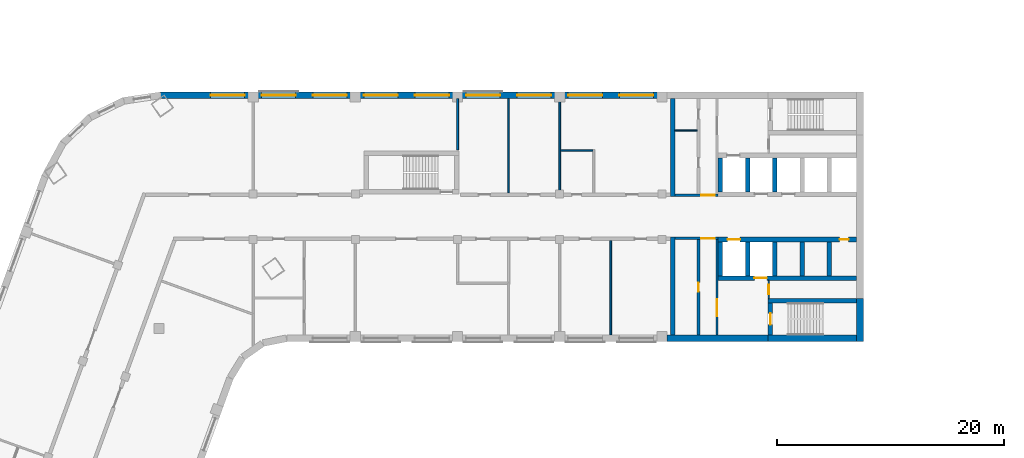
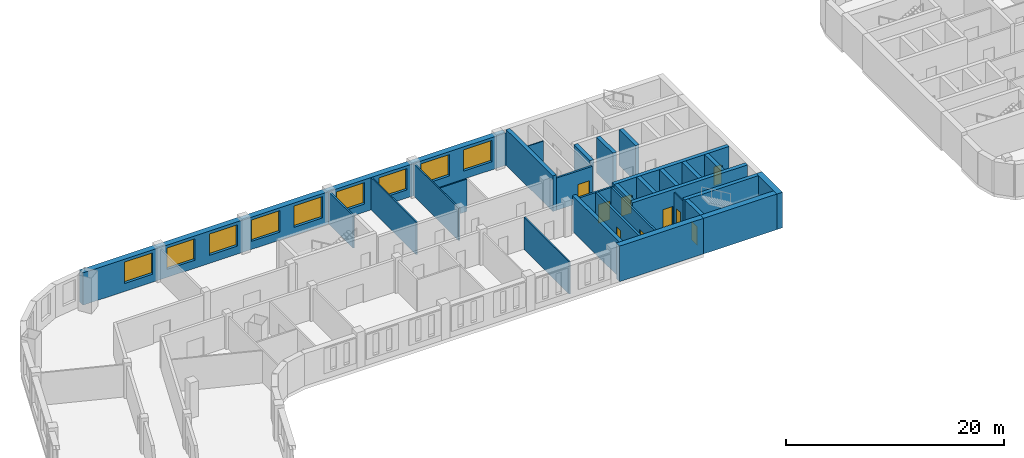
# One storey, part 5 of 12: 29 walls, 9 doors, 9 windows, 18 openings.
"""IFC4 building model written with IfcOpenShell, lengths in metres."""

from ifc_helpers import new_model, si_unit, direction, frame, frame_2d, origin, place, context, subcontext, project, spatial, rectangle, extrude, material, layer, layer_set, type_object, element, fill, save


model = new_model("IFC4")

# Units and contexts
model_context = context("Model", 3, precision=1e-05, world=origin(), true_north=direction((0.0, 1.0)))
body_context = subcontext(model_context, "Body", "Model", "MODEL_VIEW")
ifc_project = project(units=[si_unit("LENGTHUNIT", "METRE"), si_unit("AREAUNIT", "SQUARE_METRE"), si_unit("VOLUMEUNIT", "CUBIC_METRE"), si_unit("PLANEANGLEUNIT", "RADIAN"), si_unit("MASSUNIT", "GRAM", prefix="KILO")], contexts=[model_context])

# Site, building, storey
site_placement = place(None, origin())
site = spatial("IfcSite", under=ifc_project, at=site_placement, CompositionType="ELEMENT")
building_placement = place(site_placement, origin())
building = spatial("IfcBuilding", under=site, at=building_placement, Name="Skarvind Civic Tower", CompositionType="ELEMENT")
storey_placement = place(building_placement, frame((0.0, 0.0, 59.5)))
storey = spatial("IfcBuildingStorey", under=building, at=storey_placement, Name="L13", CompositionType="ELEMENT", Elevation=59.5)

# Wall
ifc_material_1 = material(Name="Acoustic gypsum board on steel studs", Category="steel")
ifc_layer_1 = layer(ifc_material_1, 0.175048828125)
ifc_layer_set_1 = layer_set([ifc_layer_1], Name="ACOUSTIC MEETING-ROOM PARTITION 175")
wall_type_1 = type_object("IfcWallType", Name="ACOUSTIC MEETING-ROOM PARTITION 175", PredefinedType="PARTITIONING", material=ifc_layer_set_1)
wall_1_placement = place(storey_placement, frame((72.25, 133.89990234375, 0.0), z_axis=(0.0, 0.0, 1.0), x_axis=(0.0, 1.0, 0.0)))
element("IfcWall", 1, at=wall_1_placement, inside=storey, type_object=wall_type_1, Name="Partition 13.019", PredefinedType="PARTITIONING", context=body_context, shape_type="SweptSolid", body=[
    extrude(rectangle(XDim=4.5, YDim=0.175048828125, at=frame_2d((2.25, 0.0))), origin(), (0.0, 0.0, 1.0), 3.625),
])

# Wall, opening, door
ifc_material_2 = material(Name="Fire-rated masonry partition", Category="masonry")
ifc_layer_2 = layer(ifc_material_2, 0.199951171875)
ifc_layer_set_2 = layer_set([ifc_layer_2], Name="Core enclosure wall 200")
wall_type_2 = type_object("IfcWallType", Name="Core enclosure wall 200", PredefinedType="PARTITIONING", material=ifc_layer_set_2)
wall_2_placement = place(storey_placement, frame((95.199951171875, 126.10009765625, 0.0), z_axis=(0.0, 0.0, 1.0), x_axis=(-1.0, 0.0, 0.0)))
wall_2 = element("IfcWall", 2, at=wall_2_placement, inside=storey, type_object=wall_type_2, Name="Core wall C1", PredefinedType="PARTITIONING", context=body_context, shape_type="SweptSolid", body=[
    extrude(rectangle(XDim=3.800048828125, YDim=0.199951171875, at=frame_2d((1.89990234375, 0.0))), origin(), (0.0, 0.0, 1.0), 3.625),
])
opening_1_placement = place(wall_2_placement, frame((0.300048828125, 0.0, 0.0)))
opening_1 = element("IfcOpeningElement", 3, at=opening_1_placement, cuts=wall_2, Name="Opening D-L13-C1-05", PredefinedType="OPENING", context=body_context, shape_type="SweptSolid", body=[
    extrude(rectangle(XDim=1.199951171875, YDim=2.10009765625, at=frame_2d((0.60009765625, 1.050048828125))), frame((0.0, 0.10986328125, 0.0), z_axis=(0.0, -1.0, 0.0), x_axis=(1.0, 0.0, 0.0)), (0.0, 0.0, 1.0), 0.219970703125),
])
ifc_material_3 = material(Name="Fire-rated steel door", Category="steel")
door_type_1 = type_object("IfcDoorType", Name="Core lobby door 1200", OperationType="NOTDEFINED", PredefinedType="DOOR", material=ifc_material_3)
door_1_placement = place(opening_1_placement, origin())
door_1 = element("IfcDoor", 4, at=door_1_placement, inside=storey, type_object=door_type_1, Name="Fire door", OperationType="DOUBLE_DOOR_SINGLE_SWING", OverallHeight=2.10009765625, OverallWidth=1.199951171875, PredefinedType="DOOR", context=body_context, shape_type="SweptSolid", body=[
    extrude(rectangle(XDim=1.199951171875, YDim=2.10009765625, at=frame_2d((0.60009765625, 1.050048828125))), frame((0.0, 0.02490234375, 0.0), z_axis=(0.0, -1.0, 0.0), x_axis=(1.0, 0.0, 0.0)), (0.0, 0.0, 1.0), 0.050048828125),
])
fill(opening_1, door_1)

wall_3_placement = place(storey_placement, frame((95.10009765625, 117.60009765625, 0.0), z_axis=(0.0, 0.0, 1.0), x_axis=(0.0, 1.0, 0.0)))
wall_3 = element("IfcWall", 5, at=wall_3_placement, inside=storey, type_object=wall_type_2, Name="Core wall C1", PredefinedType="PARTITIONING", context=body_context, shape_type="SweptSolid", body=[
    extrude(rectangle(XDim=8.39990234375, YDim=0.199951171875, at=frame_2d((4.199951171875, 0.0))), origin(), (0.0, 0.0, 1.0), 3.625),
])
opening_2_placement = place(wall_3_placement, frame((1.64990234375, 0.0, 0.0)))
opening_2 = element("IfcOpeningElement", 6, at=opening_2_placement, cuts=wall_3, Name="Opening D-L13-C1-06", PredefinedType="OPENING", context=body_context, shape_type="SweptSolid", body=[
    extrude(rectangle(XDim=1.5, YDim=2.10009765625, at=frame_2d((0.75, 1.050048828125))), frame((0.0, 0.10986328125, 0.0), z_axis=(0.0, -1.0, 0.0), x_axis=(1.0, 0.0, 0.0)), (0.0, 0.0, 1.0), 0.219970703125),
])
door_type_2 = type_object("IfcDoorType", Name="Fire door 1500", OperationType="NOTDEFINED", PredefinedType="DOOR", material=ifc_material_3)
door_2_placement = place(opening_2_placement, origin())
door_2 = element("IfcDoor", 7, at=door_2_placement, inside=storey, type_object=door_type_2, Name="Fire door", OperationType="DOUBLE_DOOR_SINGLE_SWING", OverallHeight=2.10009765625, OverallWidth=1.5, PredefinedType="DOOR", context=body_context, shape_type="SweptSolid", body=[
    extrude(rectangle(XDim=1.5, YDim=2.10009765625, at=frame_2d((0.75, 1.050048828125))), frame((0.0, 0.02490234375, 0.0), z_axis=(0.0, -1.0, 0.0), x_axis=(1.0, 0.0, 0.0)), (0.0, 0.0, 1.0), 0.050048828125),
])
fill(opening_2, door_2)

wall_4_placement = place(storey_placement, frame((91.39990234375, 129.89990234375, 0.0), z_axis=(0.0, 0.0, 1.0), x_axis=(1.0, 0.0, 0.0)))
wall_4 = element("IfcWall", 8, at=wall_4_placement, inside=storey, type_object=wall_type_2, Name="Core wall C1", PredefinedType="PARTITIONING", context=body_context, shape_type="SweptSolid", body=[
    extrude(rectangle(XDim=3.800048828125, YDim=0.199951171875, at=frame_2d((1.89990234375, 0.0))), origin(), (0.0, 0.0, 1.0), 3.625),
])
opening_3_placement = place(wall_4_placement, frame((2.300048828125, 0.0, 0.0)))
opening_3 = element("IfcOpeningElement", 9, at=opening_3_placement, cuts=wall_4, Name="Opening D-L13-C1-10", PredefinedType="OPENING", context=body_context, shape_type="SweptSolid", body=[
    extrude(rectangle(XDim=1.199951171875, YDim=2.10009765625, at=frame_2d((0.60009765625, 1.050048828125))), frame((0.0, 0.10986328125, 0.0), z_axis=(0.0, -1.0, 0.0), x_axis=(1.0, 0.0, 0.0)), (0.0, 0.0, 1.0), 0.219970703125),
])
door_3_placement = place(opening_3_placement, origin())
door_3 = element("IfcDoor", 10, at=door_3_placement, inside=storey, type_object=door_type_1, Name="Fire door", OperationType="DOUBLE_DOOR_SINGLE_SWING", OverallHeight=2.10009765625, OverallWidth=1.199951171875, PredefinedType="DOOR", context=body_context, shape_type="SweptSolid", body=[
    extrude(rectangle(XDim=1.199951171875, YDim=2.10009765625, at=frame_2d((0.60009765625, 1.050048828125))), frame((0.0, 0.02490234375, 0.0), z_axis=(0.0, -1.0, 0.0), x_axis=(1.0, 0.0, 0.0)), (0.0, 0.0, 1.0), 0.050048828125),
])
fill(opening_3, door_3)

# Walls
ifc_material_4 = material(Name="Fire-rated plasterboard partition")
ifc_layer_3 = layer(ifc_material_4, 0.10009765625)
ifc_layer_set_3 = layer_set([ifc_layer_3], Name="Core partition wall 100")
wall_type_3 = type_object("IfcWallType", Name="Core partition wall 100", PredefinedType="PARTITIONING", material=ifc_layer_set_3)
wall_5_placement = place(storey_placement, frame((91.39990234375, 135.60009765625, 0.0), z_axis=(0.0, 0.0, 1.0), x_axis=(1.0, 0.0, 0.0)))
element("IfcWall", 11, at=wall_5_placement, inside=storey, type_object=wall_type_3, Name="Core wall C1", PredefinedType="PARTITIONING", context=body_context, shape_type="SweptSolid", body=[
    extrude(rectangle(XDim=1.9501953125, YDim=0.10009765625, at=frame_2d((0.97509765625, 0.0))), origin(), (0.0, 0.0, 1.0), 3.625),
])
ifc_material_5 = material(Name="Concrete C80", Category="concrete")
ifc_layer_4 = layer(ifc_material_5, 0.39990234375)
ifc_layer_set_4 = layer_set([ifc_layer_4], Name="Core wall 400 C80")
wall_type_4 = type_object("IfcWallType", Name="Core wall 400 C80", PredefinedType="SHEAR", material=ifc_layer_set_4)
wall_6_placement = place(storey_placement, frame((107.39990234375, 120.60009765625, 0.0), z_axis=(0.0, 0.0, 1.0), x_axis=(-1.0, 0.0, 0.0)))
element("IfcWall", 12, at=wall_6_placement, inside=storey, type_object=wall_type_4, Name="Core wall C1 north stair inner L13", PredefinedType="SHEAR", context=body_context, shape_type="SweptSolid", body=[
    extrude(rectangle(XDim=7.7998046875, YDim=0.39990234375, at=frame_2d((3.89990234375, 0.0))), origin(), (0.0, 0.0, 1.0), 4.0),
])

# Wall, opening, door
wall_7_placement = place(storey_placement, frame((99.800048828125, 120.39990234375, 0.0), z_axis=(0.0, 0.0, 1.0), x_axis=(0.0, -1.0, 0.0)))
wall_7 = element("IfcWall", 13, at=wall_7_placement, inside=storey, type_object=wall_type_4, Name="Core wall C1 north stair end L13", PredefinedType="SHEAR", context=body_context, shape_type="SweptSolid", body=[
    extrude(rectangle(XDim=2.7998046875, YDim=0.39990234375, at=frame_2d((1.39990234375, 0.0))), origin(), (0.0, 0.0, 1.0), 4.0),
])
opening_4_placement = place(wall_7_placement, frame((0.89990234375, 0.0, 0.0)))
opening_4 = element("IfcOpeningElement", 14, at=opening_4_placement, cuts=wall_7, Name="Opening D-L13-C1-07", PredefinedType="OPENING", context=body_context, shape_type="SweptSolid", body=[
    extrude(rectangle(XDim=1.0, YDim=2.10009765625, at=frame_2d((0.5, 1.050048828125))), frame((0.0, 0.2099609375, 0.0), z_axis=(0.0, -1.0, 0.0), x_axis=(1.0, 0.0, 0.0)), (0.0, 0.0, 1.0), 0.419921875),
])
door_type_3 = type_object("IfcDoorType", Name="Fire door 1000", OperationType="NOTDEFINED", PredefinedType="DOOR", material=ifc_material_3)
door_4_placement = place(opening_4_placement, origin())
door_4 = element("IfcDoor", 15, at=door_4_placement, inside=storey, type_object=door_type_3, Name="Fire door", OperationType="SINGLE_SWING_LEFT", OverallHeight=2.10009765625, OverallWidth=1.0, PredefinedType="DOOR", context=body_context, shape_type="SweptSolid", body=[
    extrude(rectangle(XDim=1.0, YDim=2.10009765625, at=frame_2d((0.5, 1.050048828125))), frame((0.0, 0.02490234375, 0.0), z_axis=(0.0, -1.0, 0.0), x_axis=(1.0, 0.0, 0.0)), (0.0, 0.0, 1.0), 0.050048828125),
])
fill(opening_4, door_4)

# Walls
for number, where, z_axis, x_axis, name in (
    (16, (100.199951171875, 133.199951171875, 0.0), (0.0, 0.0, 1.0), (0.0, -1.0, 0.0), "Core wall C1 south lift row division 3 L13"),
    (17, (97.800048828125, 133.199951171875, 0.0), (0.0, 0.0, 1.0), (0.0, -1.0, 0.0), "Core wall C1 south lift row division 4 L13"),
    (18, (95.39990234375, 133.199951171875, 0.0), (0.0, 0.0, 1.0), (0.0, -1.0, 0.0), "Core wall C1 south lift row division 5 L13"),
):
    element("IfcWall", number, at=place(storey_placement, frame(where, z_axis=z_axis, x_axis=x_axis)), inside=storey, type_object=wall_type_4, Name=name, PredefinedType="SHEAR", context=body_context, shape_type="SweptSolid", body=[
        extrude(rectangle(XDim=3.0, YDim=0.39990234375, at=frame_2d((1.5, 0.0))), origin(), (0.0, 0.0, 1.0), 4.0),
    ])

# Wall, openings, doors
wall_8_placement = place(storey_placement, frame((107.39990234375, 126.0, 0.0), z_axis=(0.0, 0.0, 1.0), x_axis=(-1.0, 0.0, 0.0)))
wall_8 = element("IfcWall", 19, at=wall_8_placement, inside=storey, type_object=wall_type_4, Name="Core wall C1 north lift row front L13", PredefinedType="SHEAR", context=body_context, shape_type="SweptSolid", body=[
    extrude(rectangle(XDim=12.199951171875, YDim=0.39990234375, at=frame_2d((6.10009765625, 0.0))), origin(), (0.0, 0.0, 1.0), 4.0),
])
opening_5_placement = place(wall_8_placement, frame((10.25, 0.0, 0.0)))
opening_5 = element("IfcOpeningElement", 20, at=opening_5_placement, cuts=wall_8, Name="Opening LD15105", PredefinedType="OPENING", context=body_context, shape_type="SweptSolid", body=[
    extrude(rectangle(XDim=1.10009765625, YDim=2.10009765625, at=frame_2d((0.550048828125, 1.050048828125))), frame((0.0, 0.2099609375, 0.0), z_axis=(0.0, -1.0, 0.0), x_axis=(1.0, 0.0, 0.0)), (0.0, 0.0, 1.0), 0.419921875),
])
opening_6_placement = place(wall_8_placement, frame((0.699951171875, 0.0, 0.0)))
opening_6 = element("IfcOpeningElement", 21, at=opening_6_placement, cuts=wall_8, Name="Opening D-L13-C1-04", PredefinedType="OPENING", context=body_context, shape_type="SweptSolid", body=[
    extrude(rectangle(XDim=0.800048828125, YDim=2.10009765625, at=frame_2d((0.39990234375, 1.050048828125))), frame((0.0, 0.2099609375, 0.0), z_axis=(0.0, -1.0, 0.0), x_axis=(1.0, 0.0, 0.0)), (0.0, 0.0, 1.0), 0.419921875),
])
door_type_4 = type_object("IfcDoorType", Name="Core riser door 800", OperationType="NOTDEFINED", PredefinedType="DOOR", material=ifc_material_3)
door_5_placement = place(opening_6_placement, origin())
door_5 = element("IfcDoor", 22, at=door_5_placement, inside=storey, type_object=door_type_4, Name="Riser door", OperationType="SINGLE_SWING_LEFT", OverallHeight=2.10009765625, OverallWidth=0.800048828125, PredefinedType="DOOR", context=body_context, shape_type="SweptSolid", body=[
    extrude(rectangle(XDim=0.800048828125, YDim=2.10009765625, at=frame_2d((0.39990234375, 1.050048828125))), frame((0.0, 0.02490234375, 0.0), z_axis=(0.0, -1.0, 0.0), x_axis=(1.0, 0.0, 0.0)), (0.0, 0.0, 1.0), 0.050048828125),
])
fill(opening_6, door_5)
ifc_material_6 = material(Name="Stainless steel landing door", Category="steel")
door_type_5 = type_object("IfcDoorType", Name="Lift landing door 1100", OperationType="DOUBLE_DOOR_SLIDING", PredefinedType="DOOR", material=ifc_material_6)
door_6_placement = place(opening_5_placement, origin())
door_6 = element("IfcDoor", 23, at=door_6_placement, inside=storey, type_object=door_type_5, Name="Lift landing door", OperationType="DOUBLE_DOOR_SLIDING", OverallHeight=2.10009765625, OverallWidth=1.10009765625, PredefinedType="DOOR", context=body_context, shape_type="SweptSolid", body=[
    extrude(rectangle(XDim=1.10009765625, YDim=2.10009765625, at=frame_2d((0.550048828125, 1.050048828125))), frame((0.0, 0.02490234375, 0.0), z_axis=(0.0, -1.0, 0.0), x_axis=(1.0, 0.0, 0.0)), (0.0, 0.0, 1.0), 0.050048828125),
])
fill(opening_5, door_6)

# Wall, opening, door
wall_9_placement = place(storey_placement, frame((107.39990234375, 122.60009765625, 0.0), z_axis=(0.0, 0.0, 1.0), x_axis=(-1.0, 0.0, 0.0)))
wall_9 = element("IfcWall", 24, at=wall_9_placement, inside=storey, type_object=wall_type_4, Name="Core wall C1 north lift row back L13", PredefinedType="SHEAR", context=body_context, shape_type="SweptSolid", body=[
    extrude(rectangle(XDim=12.199951171875, YDim=0.39990234375, at=frame_2d((6.10009765625, 0.0))), origin(), (0.0, 0.0, 1.0), 4.0),
])
opening_7_placement = place(wall_9_placement, frame((7.89990234375, 0.0, 0.0)))
opening_7 = element("IfcOpeningElement", 25, at=opening_7_placement, cuts=wall_9, Name="Opening LD15104", PredefinedType="OPENING", context=body_context, shape_type="SweptSolid", body=[
    extrude(rectangle(XDim=1.10009765625, YDim=2.10009765625, at=frame_2d((0.550048828125, 1.050048828125))), frame((0.0, 0.2099609375, 0.0), z_axis=(0.0, -1.0, 0.0), x_axis=(1.0, 0.0, 0.0)), (0.0, 0.0, 1.0), 0.419921875),
])
door_7_placement = place(opening_7_placement, origin())
door_7 = element("IfcDoor", 26, at=door_7_placement, inside=storey, type_object=door_type_5, Name="Lift landing door", OperationType="DOUBLE_DOOR_SLIDING", OverallHeight=2.10009765625, OverallWidth=1.10009765625, PredefinedType="DOOR", context=body_context, shape_type="SweptSolid", body=[
    extrude(rectangle(XDim=1.10009765625, YDim=2.10009765625, at=frame_2d((0.550048828125, 1.050048828125))), frame((0.0, 0.02490234375, 0.0), z_axis=(0.0, -1.0, 0.0), x_axis=(1.0, 0.0, 0.0)), (0.0, 0.0, 1.0), 0.050048828125),
])
fill(opening_7, door_7)

# Walls
for number, where, z_axis, x_axis, name in (
    (27, (105.0, 125.800048828125, 0.0), (0.0, 0.0, 1.0), (0.0, -1.0, 0.0), "Core wall C1 north lift row division 1 L13"),
    (28, (102.60009765625, 125.800048828125, 0.0), (0.0, 0.0, 1.0), (0.0, -1.0, 0.0), "Core wall C1 north lift row division 2 L13"),
    (29, (100.199951171875, 125.800048828125, 0.0), (0.0, 0.0, 1.0), (0.0, -1.0, 0.0), "Core wall C1 north lift row division 3 L13"),
    (30, (97.800048828125, 125.800048828125, 0.0), (0.0, 0.0, 1.0), (0.0, -1.0, 0.0), "Core wall C1 north lift row division 4 L13"),
    (31, (95.39990234375, 125.800048828125, 0.0), (0.0, 0.0, 1.0), (0.0, -1.0, 0.0), "Core wall C1 north lift row division 5 L13"),
):
    element("IfcWall", number, at=place(storey_placement, frame(where, z_axis=z_axis, x_axis=x_axis)), inside=storey, type_object=wall_type_4, Name=name, PredefinedType="SHEAR", context=body_context, shape_type="SweptSolid", body=[
        extrude(rectangle(XDim=3.0, YDim=0.39990234375, at=frame_2d((1.5, 0.0))), origin(), (0.0, 0.0, 1.0), 4.0),
    ])
for number, where, z_axis, x_axis, name in (
    (32, (91.199951171875, 138.39990234375, 0.0), (0.0, 0.0, 1.0), (0.0, -1.0, 0.0), "Core wall C1 south inner face L13"),
    (33, (91.199951171875, 126.199951171875, 0.0), (0.0, 0.0, 1.0), (0.0, -1.0, 0.0), "Core wall C1 north inner face L13"),
):
    element("IfcWall", number, at=place(storey_placement, frame(where, z_axis=z_axis, x_axis=x_axis)), inside=storey, type_object=wall_type_4, Name=name, PredefinedType="SHEAR", context=body_context, shape_type="SweptSolid", body=[
        extrude(rectangle(XDim=8.599853515625, YDim=0.39990234375, at=frame_2d((4.2998046875, 0.0))), origin(), (0.0, 0.0, 1.0), 4.0),
    ])
ifc_layer_5 = layer(ifc_material_5, 0.60009765625)
ifc_layer_set_5 = layer_set([ifc_layer_5], Name="Core wall 600 C80")
wall_type_5 = type_object("IfcWallType", Name="Core wall 600 C80", PredefinedType="SHEAR", material=ifc_layer_set_5)
wall_10_placement = place(storey_placement, frame((107.699951171875, 120.800048828125, 0.0), z_axis=(0.0, 0.0, 1.0), x_axis=(0.0, -1.0, 0.0)))
element("IfcWall", 34, at=wall_10_placement, inside=storey, type_object=wall_type_5, Name="Core wall C1 tip at the north stair L13", PredefinedType="SHEAR", context=body_context, shape_type="SweptSolid", body=[
    extrude(rectangle(XDim=3.800048828125, YDim=0.60009765625, at=frame_2d((1.89990234375, 0.0))), origin(), (0.0, 0.0, 1.0), 4.0),
])
wall_11_placement = place(storey_placement, frame((107.39990234375, 117.300048828125, 0.0), z_axis=(0.0, 0.0, 1.0), x_axis=(-1.0, 0.0, 0.0)))
element("IfcWall", 35, at=wall_11_placement, inside=storey, type_object=wall_type_5, Name="Core wall C1 north side at the stair L13", PredefinedType="SHEAR", context=body_context, shape_type="SweptSolid", body=[
    extrude(rectangle(XDim=7.7998046875, YDim=0.60009765625, at=frame_2d((3.89990234375, 0.0))), origin(), (0.0, 0.0, 1.0), 4.0),
])
wall_12_placement = place(storey_placement, frame((99.60009765625, 117.300048828125, 0.0), z_axis=(0.0, 0.0, 1.0), x_axis=(-1.0, 0.0, 0.0)))
element("IfcWall", 36, at=wall_12_placement, inside=storey, type_object=wall_type_5, Name="Core wall C1 north side L13", PredefinedType="SHEAR", context=body_context, shape_type="SweptSolid", body=[
    extrude(rectangle(XDim=8.900146484375, YDim=0.60009765625, at=frame_2d((4.4501953125, 0.0))), origin(), (0.0, 0.0, 1.0), 4.0),
])
ifc_material_7 = material(Name="Plasterboard partition on steel studs", Category="steel")
ifc_layer_6 = layer(ifc_material_7, 0.14990234375)
ifc_layer_set_6 = layer_set([ifc_layer_6], Name="PARTITION 150")
wall_type_6 = type_object("IfcWallType", Name="PARTITION 150", PredefinedType="PARTITIONING", material=ifc_layer_set_6)
for number, where, z_axis, x_axis, name in (
    (37, (76.75, 130.10009765625, 0.0), (0.0, 0.0, 1.0), (0.0, 1.0, 0.0), "Partition 13.024"),
    (38, (81.25, 130.10009765625, 0.0), (0.0, 0.0, 1.0), (0.0, 1.0, 0.0), "Partition 13.026"),
):
    element("IfcWall", number, at=place(storey_placement, frame(where, z_axis=z_axis, x_axis=x_axis)), inside=storey, type_object=wall_type_6, Name=name, PredefinedType="PARTITIONING", context=body_context, shape_type="SweptSolid", body=[
        extrude(rectangle(XDim=8.2998046875, YDim=0.14990234375, at=frame_2d((4.14990234375, 0.0))), origin(), (0.0, 0.0, 1.0), 3.625),
    ])
wall_13_placement = place(storey_placement, frame((81.324951171875, 133.85009765625, 0.0), z_axis=(0.0, 0.0, 1.0), x_axis=(1.0, 0.0, 0.0)))
element("IfcWall", 39, at=wall_13_placement, inside=storey, type_object=wall_type_6, Name="Partition 13.027", PredefinedType="PARTITIONING", context=body_context, shape_type="SweptSolid", body=[
    extrude(rectangle(XDim=2.85009765625, YDim=0.14990234375, at=frame_2d((1.425048828125, 0.0))), origin(), (0.0, 0.0, 1.0), 3.625),
])
wall_14_placement = place(storey_placement, frame((85.75, 117.60009765625, 0.0), z_axis=(0.0, 0.0, 1.0), x_axis=(0.0, 1.0, 0.0)))
element("IfcWall", 40, at=wall_14_placement, inside=storey, type_object=wall_type_6, Name="Partition 13.029", PredefinedType="PARTITIONING", context=body_context, shape_type="SweptSolid", body=[
    extrude(rectangle(XDim=8.2998046875, YDim=0.14990234375, at=frame_2d((4.14990234375, 0.0))), origin(), (0.0, 0.0, 1.0), 3.625),
])

# Wall, opening, door
ifc_layer_7 = layer(ifc_material_2, 0.125)
ifc_layer_set_7 = layer_set([ifc_layer_7], Name="Riser wall 125")
wall_type_7 = type_object("IfcWallType", Name="Riser wall 125", PredefinedType="PARTITIONING", material=ifc_layer_set_7)
wall_15_placement = place(storey_placement, frame((99.66259765625, 120.800048828125, 0.0), z_axis=(0.0, 0.0, 1.0), x_axis=(0.0, 1.0, 0.0)))
wall_15 = element("IfcWall", 41, at=wall_15_placement, inside=storey, type_object=wall_type_7, Name="Core wall C1", PredefinedType="PARTITIONING", context=body_context, shape_type="SweptSolid", body=[
    extrude(rectangle(XDim=1.599853515625, YDim=0.125, at=frame_2d((0.7998046875, 0.0))), origin(), (0.0, 0.0, 1.0), 3.625),
])
opening_8_placement = place(wall_15_placement, frame((0.39990234375, 0.0, 0.0)))
opening_8 = element("IfcOpeningElement", 42, at=opening_8_placement, cuts=wall_15, Name="Opening D-L13-C1-08", PredefinedType="OPENING", context=body_context, shape_type="SweptSolid", body=[
    extrude(rectangle(XDim=0.800048828125, YDim=2.10009765625, at=frame_2d((0.39990234375, 1.050048828125))), frame((0.0, 0.072509765625, 0.0), z_axis=(0.0, -1.0, 0.0), x_axis=(1.0, 0.0, 0.0)), (0.0, 0.0, 1.0), 0.14501953125),
])
door_8_placement = place(opening_8_placement, origin())
door_8 = element("IfcDoor", 43, at=door_8_placement, inside=storey, type_object=door_type_4, Name="Riser door", OperationType="SINGLE_SWING_RIGHT", OverallHeight=2.10009765625, OverallWidth=0.800048828125, PredefinedType="DOOR", context=body_context, shape_type="SweptSolid", body=[
    extrude(rectangle(XDim=0.800048828125, YDim=2.10009765625, at=frame_2d((0.39990234375, 1.050048828125))), frame((0.0, 0.02490234375, 0.0), z_axis=(0.0, -1.0, 0.0), x_axis=(1.0, 0.0, 0.0)), (0.0, 0.0, 1.0), 0.050048828125),
])
fill(opening_8, door_8)

ifc_layer_8 = layer(ifc_material_2, 0.25)
ifc_layer_set_8 = layer_set([ifc_layer_8], Name="Service block wall 250")
wall_type_8 = type_object("IfcWallType", Name="Service block wall 250", PredefinedType="PARTITIONING", material=ifc_layer_set_8)
wall_16_placement = place(storey_placement, frame((93.47509765625, 117.60009765625, 0.0), z_axis=(0.0, 0.0, 1.0), x_axis=(0.0, 1.0, 0.0)))
wall_16 = element("IfcWall", 44, at=wall_16_placement, inside=storey, type_object=wall_type_8, Name="Core wall C1", PredefinedType="PARTITIONING", context=body_context, shape_type="SweptSolid", body=[
    extrude(rectangle(XDim=8.39990234375, YDim=0.25, at=frame_2d((4.199951171875, 0.0))), origin(), (0.0, 0.0, 1.0), 3.625),
])
opening_9_placement = place(wall_16_placement, frame((3.800048828125, 0.0, 0.0)))
opening_9 = element("IfcOpeningElement", 45, at=opening_9_placement, cuts=wall_16, Name="Opening D-L13-C1-09", PredefinedType="OPENING", context=body_context, shape_type="SweptSolid", body=[
    extrude(rectangle(XDim=0.800048828125, YDim=2.10009765625, at=frame_2d((0.39990234375, 1.050048828125))), frame((0.0, 0.135009765625, 0.0), z_axis=(0.0, -1.0, 0.0), x_axis=(1.0, 0.0, 0.0)), (0.0, 0.0, 1.0), 0.27001953125),
])
door_9_placement = place(opening_9_placement, origin())
door_9 = element("IfcDoor", 46, at=door_9_placement, inside=storey, type_object=door_type_4, Name="Riser door", OperationType="SINGLE_SWING_LEFT", OverallHeight=2.10009765625, OverallWidth=0.800048828125, PredefinedType="DOOR", context=body_context, shape_type="SweptSolid", body=[
    extrude(rectangle(XDim=0.800048828125, YDim=2.10009765625, at=frame_2d((0.39990234375, 1.050048828125))), frame((0.0, 0.02490234375, 0.0), z_axis=(0.0, -1.0, 0.0), x_axis=(1.0, 0.0, 0.0)), (0.0, 0.0, 1.0), 0.050048828125),
])
fill(opening_9, door_9)

# Wall, openings, windows
ifc_material_8 = material(Name="Limestone masonry cladding on insulated backing", Category="masonry")
ifc_layer_9 = layer(ifc_material_8, 0.60009765625)
ifc_layer_set_9 = layer_set([ifc_layer_9], Name="WX1 STONE FACADE WALL 600")
wall_type_9 = type_object("IfcWallType", Name="WX1 STONE FACADE WALL 600", PredefinedType="SOLIDWALL", material=ifc_layer_set_9)
wall_17_placement = place(storey_placement, frame((46.095458984375, 138.699951171875, 0.0), z_axis=(0.0, 0.0, 1.0), x_axis=(1.0, 0.0, 0.0)))
wall_17 = element("IfcWall", 47, at=wall_17_placement, inside=storey, type_object=wall_type_9, Name="STONE FACADE WALL", PredefinedType="SOLIDWALL", context=body_context, shape_type="SweptSolid", body=[
    extrude(rectangle(XDim=44.884521484375, YDim=0.60009765625, at=frame_2d((22.4423828125, 0.0))), origin(), (0.0, 0.0, 1.0), 3.625),
])
opening_10_placement = place(wall_17_placement, frame((4.404541015625, 0.0, 0.89990234375)))
opening_10 = element("IfcOpeningElement", 48, at=opening_10_placement, cuts=wall_17, Name="Opening WN1", PredefinedType="OPENING", context=body_context, shape_type="SweptSolid", body=[
    extrude(rectangle(XDim=3.0, YDim=2.39990234375, at=frame_2d((1.5, 1.199951171875))), frame((0.0, 0.31005859375, 0.0), z_axis=(0.0, -1.0, 0.0), x_axis=(1.0, 0.0, 0.0)), (0.0, 0.0, 1.0), 0.6201171875),
])
opening_11_placement = place(wall_17_placement, frame((8.904541015625, 0.0, 0.89990234375)))
opening_11 = element("IfcOpeningElement", 49, at=opening_11_placement, cuts=wall_17, Name="Opening WN1", PredefinedType="OPENING", context=body_context, shape_type="SweptSolid", body=[
    extrude(rectangle(XDim=3.0, YDim=2.39990234375, at=frame_2d((1.5, 1.199951171875))), frame((0.0, 0.31005859375, 0.0), z_axis=(0.0, -1.0, 0.0), x_axis=(1.0, 0.0, 0.0)), (0.0, 0.0, 1.0), 0.6201171875),
])
opening_12_placement = place(wall_17_placement, frame((13.404541015625, 0.0, 0.89990234375)))
opening_12 = element("IfcOpeningElement", 50, at=opening_12_placement, cuts=wall_17, Name="Opening WN1", PredefinedType="OPENING", context=body_context, shape_type="SweptSolid", body=[
    extrude(rectangle(XDim=3.0, YDim=2.39990234375, at=frame_2d((1.5, 1.199951171875))), frame((0.0, 0.31005859375, 0.0), z_axis=(0.0, -1.0, 0.0), x_axis=(1.0, 0.0, 0.0)), (0.0, 0.0, 1.0), 0.6201171875),
])
opening_13_placement = place(wall_17_placement, frame((17.904541015625, 0.0, 0.89990234375)))
opening_13 = element("IfcOpeningElement", 51, at=opening_13_placement, cuts=wall_17, Name="Opening WN1", PredefinedType="OPENING", context=body_context, shape_type="SweptSolid", body=[
    extrude(rectangle(XDim=3.0, YDim=2.39990234375, at=frame_2d((1.5, 1.199951171875))), frame((0.0, 0.31005859375, 0.0), z_axis=(0.0, -1.0, 0.0), x_axis=(1.0, 0.0, 0.0)), (0.0, 0.0, 1.0), 0.6201171875),
])
opening_14_placement = place(wall_17_placement, frame((22.404541015625, 0.0, 0.89990234375)))
opening_14 = element("IfcOpeningElement", 52, at=opening_14_placement, cuts=wall_17, Name="Opening WN1", PredefinedType="OPENING", context=body_context, shape_type="SweptSolid", body=[
    extrude(rectangle(XDim=3.0, YDim=2.39990234375, at=frame_2d((1.5, 1.199951171875))), frame((0.0, 0.31005859375, 0.0), z_axis=(0.0, -1.0, 0.0), x_axis=(1.0, 0.0, 0.0)), (0.0, 0.0, 1.0), 0.6201171875),
])
opening_15_placement = place(wall_17_placement, frame((26.904541015625, 0.0, 0.89990234375)))
opening_15 = element("IfcOpeningElement", 53, at=opening_15_placement, cuts=wall_17, Name="Opening WN1", PredefinedType="OPENING", context=body_context, shape_type="SweptSolid", body=[
    extrude(rectangle(XDim=3.0, YDim=2.39990234375, at=frame_2d((1.5, 1.199951171875))), frame((0.0, 0.31005859375, 0.0), z_axis=(0.0, -1.0, 0.0), x_axis=(1.0, 0.0, 0.0)), (0.0, 0.0, 1.0), 0.6201171875),
])
opening_16_placement = place(wall_17_placement, frame((31.404541015625, 0.0, 0.89990234375)))
opening_16 = element("IfcOpeningElement", 54, at=opening_16_placement, cuts=wall_17, Name="Opening WN1", PredefinedType="OPENING", context=body_context, shape_type="SweptSolid", body=[
    extrude(rectangle(XDim=3.0, YDim=2.39990234375, at=frame_2d((1.5, 1.199951171875))), frame((0.0, 0.31005859375, 0.0), z_axis=(0.0, -1.0, 0.0), x_axis=(1.0, 0.0, 0.0)), (0.0, 0.0, 1.0), 0.6201171875),
])
opening_17_placement = place(wall_17_placement, frame((35.904541015625, 0.0, 0.89990234375)))
opening_17 = element("IfcOpeningElement", 55, at=opening_17_placement, cuts=wall_17, Name="Opening WN1", PredefinedType="OPENING", context=body_context, shape_type="SweptSolid", body=[
    extrude(rectangle(XDim=3.0, YDim=2.39990234375, at=frame_2d((1.5, 1.199951171875))), frame((0.0, 0.31005859375, 0.0), z_axis=(0.0, -1.0, 0.0), x_axis=(1.0, 0.0, 0.0)), (0.0, 0.0, 1.0), 0.6201171875),
])
opening_18_placement = place(wall_17_placement, frame((40.404541015625, 0.0, 0.89990234375)))
opening_18 = element("IfcOpeningElement", 56, at=opening_18_placement, cuts=wall_17, Name="Opening WN1", PredefinedType="OPENING", context=body_context, shape_type="SweptSolid", body=[
    extrude(rectangle(XDim=3.0, YDim=2.39990234375, at=frame_2d((1.5, 1.199951171875))), frame((0.0, 0.31005859375, 0.0), z_axis=(0.0, -1.0, 0.0), x_axis=(1.0, 0.0, 0.0)), (0.0, 0.0, 1.0), 0.6201171875),
])
ifc_material_9 = material(Name="Timber frame, double glazing, timber-lined reveal", Category="wood")
window_type = type_object("IfcWindowType", Name="WN1 PUNCHED STONE WINDOW 3000 x 2400", PartitioningType="SINGLE_PANEL", PredefinedType="WINDOW", material=ifc_material_9)
window_1_placement = place(opening_10_placement, origin())
window_1 = element("IfcWindow", 57, at=window_1_placement, inside=storey, type_object=window_type, Name="WN1 WINDOW", OverallHeight=2.39990234375, OverallWidth=3.0, PartitioningType="SINGLE_PANEL", PredefinedType="WINDOW", context=body_context, shape_type="SweptSolid", body=[
    extrude(rectangle(XDim=3.0, YDim=2.39990234375, at=frame_2d((1.5, 1.199951171875))), frame((0.0, 0.030029296875, 0.0), z_axis=(0.0, -1.0, 0.0), x_axis=(1.0, 0.0, 0.0)), (0.0, 0.0, 1.0), 0.06005859375),
])
fill(opening_10, window_1)
window_2_placement = place(opening_11_placement, origin())
window_2 = element("IfcWindow", 58, at=window_2_placement, inside=storey, type_object=window_type, Name="WN1 WINDOW", OverallHeight=2.39990234375, OverallWidth=3.0, PartitioningType="SINGLE_PANEL", PredefinedType="WINDOW", context=body_context, shape_type="SweptSolid", body=[
    extrude(rectangle(XDim=3.0, YDim=2.39990234375, at=frame_2d((1.5, 1.199951171875))), frame((0.0, 0.030029296875, 0.0), z_axis=(0.0, -1.0, 0.0), x_axis=(1.0, 0.0, 0.0)), (0.0, 0.0, 1.0), 0.06005859375),
])
fill(opening_11, window_2)
window_3_placement = place(opening_12_placement, origin())
window_3 = element("IfcWindow", 59, at=window_3_placement, inside=storey, type_object=window_type, Name="WN1 WINDOW", OverallHeight=2.39990234375, OverallWidth=3.0, PartitioningType="SINGLE_PANEL", PredefinedType="WINDOW", context=body_context, shape_type="SweptSolid", body=[
    extrude(rectangle(XDim=3.0, YDim=2.39990234375, at=frame_2d((1.5, 1.199951171875))), frame((0.0, 0.030029296875, 0.0), z_axis=(0.0, -1.0, 0.0), x_axis=(1.0, 0.0, 0.0)), (0.0, 0.0, 1.0), 0.06005859375),
])
fill(opening_12, window_3)
window_4_placement = place(opening_13_placement, origin())
window_4 = element("IfcWindow", 60, at=window_4_placement, inside=storey, type_object=window_type, Name="WN1 WINDOW", OverallHeight=2.39990234375, OverallWidth=3.0, PartitioningType="SINGLE_PANEL", PredefinedType="WINDOW", context=body_context, shape_type="SweptSolid", body=[
    extrude(rectangle(XDim=3.0, YDim=2.39990234375, at=frame_2d((1.5, 1.199951171875))), frame((0.0, 0.030029296875, 0.0), z_axis=(0.0, -1.0, 0.0), x_axis=(1.0, 0.0, 0.0)), (0.0, 0.0, 1.0), 0.06005859375),
])
fill(opening_13, window_4)
window_5_placement = place(opening_14_placement, origin())
window_5 = element("IfcWindow", 61, at=window_5_placement, inside=storey, type_object=window_type, Name="WN1 WINDOW", OverallHeight=2.39990234375, OverallWidth=3.0, PartitioningType="SINGLE_PANEL", PredefinedType="WINDOW", context=body_context, shape_type="SweptSolid", body=[
    extrude(rectangle(XDim=3.0, YDim=2.39990234375, at=frame_2d((1.5, 1.199951171875))), frame((0.0, 0.030029296875, 0.0), z_axis=(0.0, -1.0, 0.0), x_axis=(1.0, 0.0, 0.0)), (0.0, 0.0, 1.0), 0.06005859375),
])
fill(opening_14, window_5)
window_6_placement = place(opening_15_placement, origin())
window_6 = element("IfcWindow", 62, at=window_6_placement, inside=storey, type_object=window_type, Name="WN1 WINDOW", OverallHeight=2.39990234375, OverallWidth=3.0, PartitioningType="SINGLE_PANEL", PredefinedType="WINDOW", context=body_context, shape_type="SweptSolid", body=[
    extrude(rectangle(XDim=3.0, YDim=2.39990234375, at=frame_2d((1.5, 1.199951171875))), frame((0.0, 0.030029296875, 0.0), z_axis=(0.0, -1.0, 0.0), x_axis=(1.0, 0.0, 0.0)), (0.0, 0.0, 1.0), 0.06005859375),
])
fill(opening_15, window_6)
window_7_placement = place(opening_16_placement, origin())
window_7 = element("IfcWindow", 63, at=window_7_placement, inside=storey, type_object=window_type, Name="WN1 WINDOW", OverallHeight=2.39990234375, OverallWidth=3.0, PartitioningType="SINGLE_PANEL", PredefinedType="WINDOW", context=body_context, shape_type="SweptSolid", body=[
    extrude(rectangle(XDim=3.0, YDim=2.39990234375, at=frame_2d((1.5, 1.199951171875))), frame((0.0, 0.030029296875, 0.0), z_axis=(0.0, -1.0, 0.0), x_axis=(1.0, 0.0, 0.0)), (0.0, 0.0, 1.0), 0.06005859375),
])
fill(opening_16, window_7)
window_8_placement = place(opening_17_placement, origin())
window_8 = element("IfcWindow", 64, at=window_8_placement, inside=storey, type_object=window_type, Name="WN1 WINDOW", OverallHeight=2.39990234375, OverallWidth=3.0, PartitioningType="SINGLE_PANEL", PredefinedType="WINDOW", context=body_context, shape_type="SweptSolid", body=[
    extrude(rectangle(XDim=3.0, YDim=2.39990234375, at=frame_2d((1.5, 1.199951171875))), frame((0.0, 0.030029296875, 0.0), z_axis=(0.0, -1.0, 0.0), x_axis=(1.0, 0.0, 0.0)), (0.0, 0.0, 1.0), 0.06005859375),
])
fill(opening_17, window_8)
window_9_placement = place(opening_18_placement, origin())
window_9 = element("IfcWindow", 65, at=window_9_placement, inside=storey, type_object=window_type, Name="WN1 WINDOW", OverallHeight=2.39990234375, OverallWidth=3.0, PartitioningType="SINGLE_PANEL", PredefinedType="WINDOW", context=body_context, shape_type="SweptSolid", body=[
    extrude(rectangle(XDim=3.0, YDim=2.39990234375, at=frame_2d((1.5, 1.199951171875))), frame((0.0, 0.030029296875, 0.0), z_axis=(0.0, -1.0, 0.0), x_axis=(1.0, 0.0, 0.0)), (0.0, 0.0, 1.0), 0.06005859375),
])
fill(opening_18, window_9)

save(model, "model.ifc")
